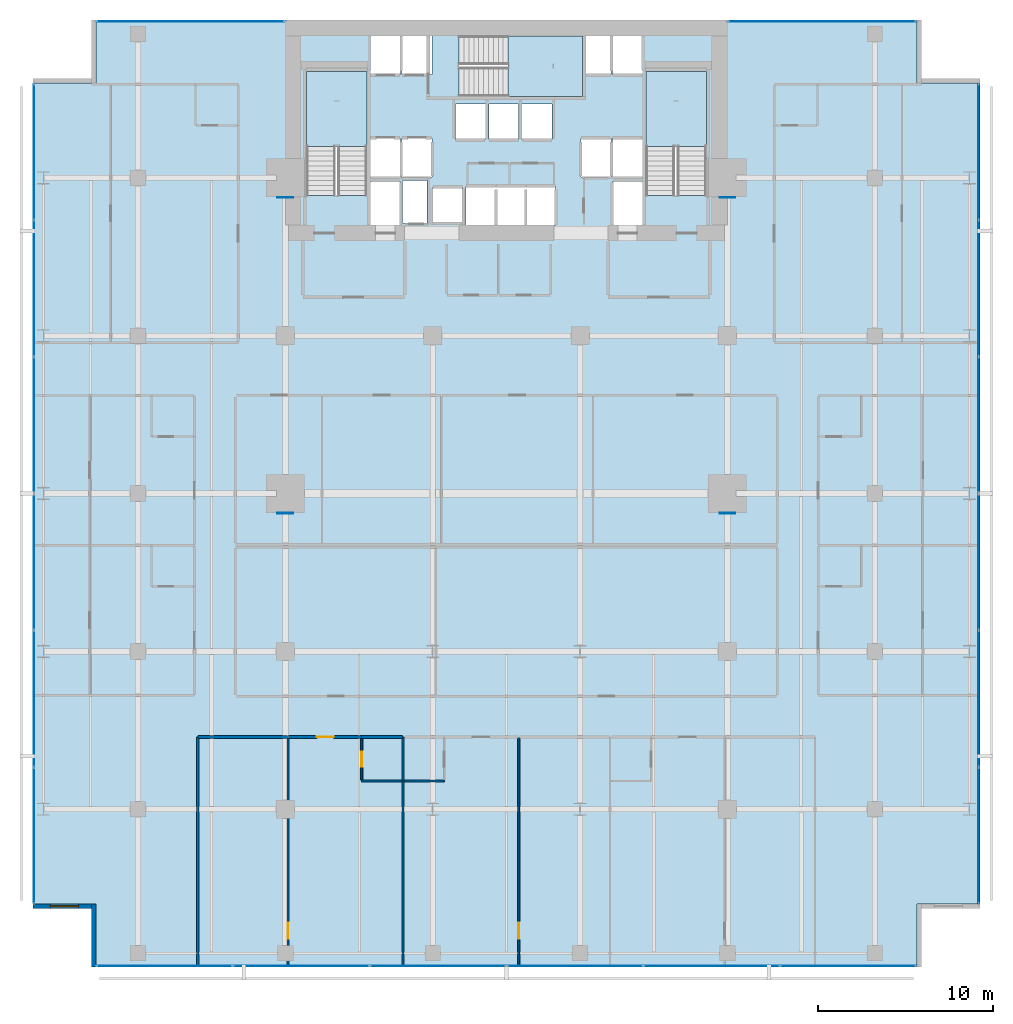
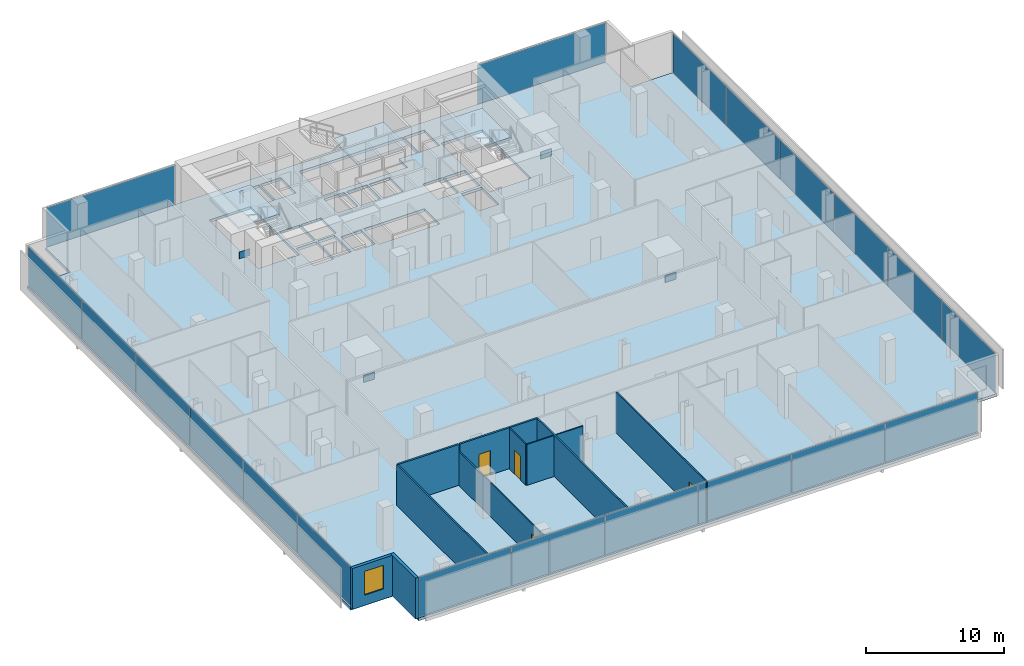
# One storey, part 32 of 40: 24 plates, 12 walls, 4 doors, 4 slabs, 1 window, 5 openings, 8 elements without a shape of their own.
"""IFC4 building model written with IfcOpenShell, lengths in metres."""

from ifc_helpers import new_model, si_unit, direction, frame, frame_2d, origin, origin_2d, place, context, subcontext, project, spatial, polyline, rectangle, outline, extrude, material, layer, layer_set, type_object, element, fill, aggregate, save


model = new_model("IFC4")

# Units and contexts
model_context = context("Model", 3, precision=1e-05, world=origin(), true_north=direction((0.0, 1.0)))
body_context = subcontext(model_context, "Body", "Model", "MODEL_VIEW")
ifc_project = project(units=[si_unit("LENGTHUNIT", "METRE"), si_unit("AREAUNIT", "SQUARE_METRE"), si_unit("VOLUMEUNIT", "CUBIC_METRE"), si_unit("PLANEANGLEUNIT", "RADIAN"), si_unit("MASSUNIT", "GRAM", prefix="KILO")], contexts=[model_context])

# Site, building, storey
site_placement = place(None, origin())
site = spatial("IfcSite", under=ifc_project, at=site_placement, CompositionType="ELEMENT")
building_placement = place(site_placement, origin())
building = spatial("IfcBuilding", under=site, at=building_placement, Name="Maruvema Waterfront Hotel and Observation Tower", CompositionType="ELEMENT")
storey_placement = place(building_placement, frame((0.0, 0.0, 73.14990234375)))
storey = spatial("IfcBuildingStorey", under=building, at=storey_placement, Name="L17", CompositionType="ELEMENT", Elevation=73.14990234375)

# Slab
ifc_material_1 = material(Name="Concrete C50/60", Category="concrete")
ifc_layer_1 = layer(ifc_material_1, 0.239990234375, Name="Reinforced Concrete Floor Slab 240 mm")
ifc_layer_set_1 = layer_set([ifc_layer_1], Name="Concrete C50/60")
slab_type_1 = type_object("IfcSlabType", Name="Reinforced Concrete Floor Slab 240 mm", PredefinedType="FLOOR", material=ifc_layer_set_1)
slab_1_placement = place(storey_placement, frame((0.0, 0.0, -0.239990234375)))
element("IfcSlab", 1, at=slab_1_placement, inside=storey, type_object=slab_type_1, Name="L17 Structural Floor Slab", PredefinedType="FLOOR", context=body_context, shape_type="SweptSolid", body=[
    extrude(outline(polyline([(14.39990234375, 0.0), (61.199951171875, 0.0), (61.199951171875, 3.60009765625), (64.800048828125, 3.60009765625), (64.800048828125, 50.39990234375), (61.199951171875, 50.39990234375), (61.199951171875, 54.0), (14.39990234375, 54.0), (14.39990234375, 50.39990234375), (10.800048828125, 50.39990234375), (10.800048828125, 3.60009765625), (14.39990234375, 3.60009765625), (14.39990234375, 0.0)]), holes=[polyline([(26.39990234375, 44.00048828125), (26.39990234375, 51.050048828125), (29.85009765625, 51.050048828125), (29.85009765625, 44.00048828125), (26.39990234375, 44.00048828125)]), polyline([(30.050048828125, 44.800048828125), (31.75, 44.800048828125), (31.75, 42.320068359375), (30.050048828125, 42.320068359375), (30.050048828125, 44.800048828125)]), polyline([(31.75, 47.25), (31.75, 45.050048828125), (30.050048828125, 45.050048828125), (30.050048828125, 47.25), (31.75, 47.25)]), polyline([(31.75, 53.10009765625), (31.75, 50.89990234375), (30.050048828125, 50.89990234375), (30.050048828125, 53.10009765625), (31.75, 53.10009765625)]), polyline([(33.280029296875, 44.860107421875), (33.280029296875, 42.43994140625), (31.8798828125, 42.43994140625), (31.8798828125, 44.860107421875), (33.280029296875, 44.860107421875)]), polyline([(31.85009765625, 47.25), (33.550048828125, 47.25), (33.550048828125, 45.050048828125), (31.85009765625, 45.050048828125), (31.85009765625, 47.25)]), polyline([(31.85009765625, 53.10009765625), (33.550048828125, 53.10009765625), (33.550048828125, 50.89990234375), (31.85009765625, 50.89990234375), (31.85009765625, 53.10009765625)]), polyline([(33.60009765625, 44.449951171875), (35.300048828125, 44.449951171875), (35.300048828125, 42.449951171875), (33.60009765625, 42.449951171875), (33.60009765625, 44.449951171875)]), polyline([(34.89990234375, 49.199951171875), (36.60009765625, 49.199951171875), (36.60009765625, 47.199951171875), (34.89990234375, 47.199951171875), (34.89990234375, 49.199951171875)]), polyline([(38.5, 49.199951171875), (38.5, 47.199951171875), (36.800048828125, 47.199951171875), (36.800048828125, 49.199951171875), (38.5, 49.199951171875)]), polyline([(35.5, 44.5), (40.60009765625, 44.5), (40.60009765625, 42.300048828125), (35.5, 42.300048828125), (35.5, 44.5)]), polyline([(43.75, 50.89990234375), (42.14990234375, 50.89990234375), (42.14990234375, 49.64990234375), (35.1005859375, 49.64990234375), (35.1005859375, 53.10009765625), (43.75, 53.10009765625), (43.75, 50.89990234375)]), polyline([(40.39990234375, 49.199951171875), (40.39990234375, 47.199951171875), (38.699951171875, 47.199951171875), (38.699951171875, 49.199951171875), (40.39990234375, 49.199951171875)]), polyline([(43.75, 47.25), (43.75, 45.050048828125), (42.050048828125, 45.050048828125), (42.050048828125, 47.25), (43.75, 47.25)]), polyline([(45.550048828125, 44.800048828125), (45.550048828125, 42.320068359375), (43.85009765625, 42.320068359375), (43.85009765625, 44.800048828125), (45.550048828125, 44.800048828125)]), polyline([(43.85009765625, 47.25), (45.550048828125, 47.25), (45.550048828125, 45.050048828125), (43.85009765625, 45.050048828125), (43.85009765625, 47.25)]), polyline([(45.550048828125, 53.10009765625), (45.550048828125, 50.89990234375), (43.85009765625, 50.89990234375), (43.85009765625, 53.10009765625), (45.550048828125, 53.10009765625)]), polyline([(45.75, 51.050048828125), (49.199951171875, 51.050048828125), (49.199951171875, 44.00048828125), (45.75, 44.00048828125), (45.75, 51.050048828125)])]), origin(), (0.0, 0.0, 1.0), 0.239990234375),
])

# Curtain wall, plates
ifc_material_2 = material(Name="Anodised bronze aluminium and solar-control low-E IGU", Category="aluminium")
ifc_layer_2 = layer(ifc_material_2, 0.159912109375, Name="Zone 1 Bronze Inner Thermal Curtain Wall System CW-02")
ifc_layer_set_2 = layer_set([ifc_layer_2], Name="Anodised bronze aluminium and solar-control low-E IGU")
curtain_wall_type = type_object("IfcCurtainWallType", Name="Zone 1 Bronze Inner Thermal Curtain Wall System CW-02", PredefinedType="USERDEFINED", material=ifc_layer_set_2)
curtain_wall_1_placement = place(storey_placement, origin())
curtain_wall_1 = element("IfcCurtainWall", 2, at=curtain_wall_1_placement, inside=storey, type_object=curtain_wall_type, Name="L17 Curtain Wall CW-L17-S", ObjectType="UNITISED CURTAIN WALL", PredefinedType="USERDEFINED")
ifc_material_3 = material(Name="Laminated low-E solar-control double glazing", Category="glass")
ifc_layer_3 = layer(ifc_material_3, 0.035888671875, Name="Solar Control Double-Glazed Curtain Panel 36 mm")
ifc_layer_set_3 = layer_set([ifc_layer_3], Name="Laminated low-E solar-control double glazing")
plate_type_1 = type_object("IfcPlateType", Name="Solar Control Double-Glazed Curtain Panel 36 mm", PredefinedType="CURTAIN_PANEL", material=ifc_layer_set_3)
plate_1_placement = place(storey_placement, frame((18.31494140625, 0.080078125, 0.06005859375), z_axis=(0.0, 0.0, 1.0), x_axis=(1.0, 0.0, 0.0)))
plate_1 = element("IfcPlate", 3, at=plate_1_placement, type_object=plate_type_1, Name="CW-02 panel 1.1", PredefinedType="CURTAIN_PANEL", context=body_context, shape_type="SweptSolid", body=[
    extrude(rectangle(XDim=7.7099609375, YDim=0.028076171875, at=origin_2d()), origin(), (0.0, 0.0, 1.0), 3.489990234375),
])
plate_2_placement = place(storey_placement, frame((26.10009765625, 0.080078125, 0.06005859375), z_axis=(0.0, 0.0, 1.0), x_axis=(1.0, 0.0, 0.0)))
plate_2 = element("IfcPlate", 4, at=plate_2_placement, type_object=plate_type_1, Name="CW-02 panel 2.1", PredefinedType="CURTAIN_PANEL", context=body_context, shape_type="SweptSolid", body=[
    extrude(rectangle(XDim=7.739990234375, YDim=0.028076171875, at=origin_2d()), origin(), (0.0, 0.0, 1.0), 3.489990234375),
])
plate_3_placement = place(storey_placement, frame((33.89990234375, 0.080078125, 0.06005859375), z_axis=(0.0, 0.0, 1.0), x_axis=(1.0, 0.0, 0.0)))
plate_3 = element("IfcPlate", 5, at=plate_3_placement, type_object=plate_type_1, Name="CW-02 panel 3.1", PredefinedType="CURTAIN_PANEL", context=body_context, shape_type="SweptSolid", body=[
    extrude(rectangle(XDim=7.739990234375, YDim=0.028076171875, at=origin_2d()), origin(), (0.0, 0.0, 1.0), 3.489990234375),
])
plate_4_placement = place(storey_placement, frame((41.699951171875, 0.080078125, 0.06005859375), z_axis=(0.0, 0.0, 1.0), x_axis=(1.0, 0.0, 0.0)))
plate_4 = element("IfcPlate", 6, at=plate_4_placement, type_object=plate_type_1, Name="CW-02 panel 4.1", PredefinedType="CURTAIN_PANEL", context=body_context, shape_type="SweptSolid", body=[
    extrude(rectangle(XDim=7.739990234375, YDim=0.028076171875, at=origin_2d()), origin(), (0.0, 0.0, 1.0), 3.489990234375),
])
plate_5_placement = place(storey_placement, frame((49.5, 0.080078125, 0.06005859375), z_axis=(0.0, 0.0, 1.0), x_axis=(1.0, 0.0, 0.0)))
plate_5 = element("IfcPlate", 7, at=plate_5_placement, type_object=plate_type_1, Name="CW-02 panel 5.1", PredefinedType="CURTAIN_PANEL", context=body_context, shape_type="SweptSolid", body=[
    extrude(rectangle(XDim=7.739990234375, YDim=0.028076171875, at=origin_2d()), origin(), (0.0, 0.0, 1.0), 3.489990234375),
])
plate_6_placement = place(storey_placement, frame((57.284912109375, 0.080078125, 0.06005859375), z_axis=(0.0, 0.0, 1.0), x_axis=(1.0, 0.0, 0.0)))
plate_6 = element("IfcPlate", 8, at=plate_6_placement, type_object=plate_type_1, Name="CW-02 panel 6.1", PredefinedType="CURTAIN_PANEL", context=body_context, shape_type="SweptSolid", body=[
    extrude(rectangle(XDim=7.7099609375, YDim=0.028076171875, at=origin_2d()), origin(), (0.0, 0.0, 1.0), 3.489990234375),
])
aggregate(curtain_wall_1, [plate_1, plate_2, plate_3, plate_4, plate_5, plate_6])

curtain_wall_2_placement = place(storey_placement, origin())
curtain_wall_2 = element("IfcCurtainWall", 9, at=curtain_wall_2_placement, inside=storey, type_object=curtain_wall_type, Name="L17 Curtain Wall CW-L17-E", ObjectType="UNITISED CURTAIN WALL", PredefinedType="USERDEFINED")
plate_7_placement = place(storey_placement, frame((64.719970703125, 7.514892578125, 0.06005859375), z_axis=(0.0, 0.0, 1.0), x_axis=(0.0, 1.0, 0.0)))
plate_7 = element("IfcPlate", 10, at=plate_7_placement, type_object=plate_type_1, Name="CW-02 panel 1.1", PredefinedType="CURTAIN_PANEL", context=body_context, shape_type="SweptSolid", body=[
    extrude(rectangle(XDim=7.7099609375, YDim=0.028076171875, at=origin_2d()), origin(), (0.0, 0.0, 1.0), 3.489990234375),
])
plate_8_placement = place(storey_placement, frame((64.719970703125, 15.300048828125, 0.06005859375), z_axis=(0.0, 0.0, 1.0), x_axis=(0.0, 1.0, 0.0)))
plate_8 = element("IfcPlate", 11, at=plate_8_placement, type_object=plate_type_1, Name="CW-02 panel 2.1", PredefinedType="CURTAIN_PANEL", context=body_context, shape_type="SweptSolid", body=[
    extrude(rectangle(XDim=7.739990234375, YDim=0.028076171875, at=origin_2d()), origin(), (0.0, 0.0, 1.0), 3.489990234375),
])
plate_9_placement = place(storey_placement, frame((64.719970703125, 23.10009765625, 0.06005859375), z_axis=(0.0, 0.0, 1.0), x_axis=(0.0, 1.0, 0.0)))
plate_9 = element("IfcPlate", 12, at=plate_9_placement, type_object=plate_type_1, Name="CW-02 panel 3.1", PredefinedType="CURTAIN_PANEL", context=body_context, shape_type="SweptSolid", body=[
    extrude(rectangle(XDim=7.739990234375, YDim=0.028076171875, at=origin_2d()), origin(), (0.0, 0.0, 1.0), 3.489990234375),
])
plate_10_placement = place(storey_placement, frame((64.719970703125, 30.89990234375, 0.06005859375), z_axis=(0.0, 0.0, 1.0), x_axis=(0.0, 1.0, 0.0)))
plate_10 = element("IfcPlate", 13, at=plate_10_placement, type_object=plate_type_1, Name="CW-02 panel 4.1", PredefinedType="CURTAIN_PANEL", context=body_context, shape_type="SweptSolid", body=[
    extrude(rectangle(XDim=7.739990234375, YDim=0.028076171875, at=origin_2d()), origin(), (0.0, 0.0, 1.0), 3.489990234375),
])
plate_11_placement = place(storey_placement, frame((64.719970703125, 38.699951171875, 0.06005859375), z_axis=(0.0, 0.0, 1.0), x_axis=(0.0, 1.0, 0.0)))
plate_11 = element("IfcPlate", 14, at=plate_11_placement, type_object=plate_type_1, Name="CW-02 panel 5.1", PredefinedType="CURTAIN_PANEL", context=body_context, shape_type="SweptSolid", body=[
    extrude(rectangle(XDim=7.739990234375, YDim=0.028076171875, at=origin_2d()), origin(), (0.0, 0.0, 1.0), 3.489990234375),
])
plate_12_placement = place(storey_placement, frame((64.719970703125, 46.485107421875, 0.06005859375), z_axis=(0.0, 0.0, 1.0), x_axis=(0.0, 1.0, 0.0)))
plate_12 = element("IfcPlate", 15, at=plate_12_placement, type_object=plate_type_1, Name="CW-02 panel 6.1", PredefinedType="CURTAIN_PANEL", context=body_context, shape_type="SweptSolid", body=[
    extrude(rectangle(XDim=7.7099609375, YDim=0.028076171875, at=origin_2d()), origin(), (0.0, 0.0, 1.0), 3.489990234375),
])
aggregate(curtain_wall_2, [plate_7, plate_8, plate_9, plate_10, plate_11, plate_12])

curtain_wall_3_placement = place(storey_placement, origin())
curtain_wall_3 = element("IfcCurtainWall", 16, at=curtain_wall_3_placement, inside=storey, type_object=curtain_wall_type, Name="L17 Curtain Wall CW-L17-W", ObjectType="UNITISED CURTAIN WALL", PredefinedType="USERDEFINED")
plate_13_placement = place(storey_placement, frame((10.8798828125, 46.485107421875, 0.06005859375), z_axis=(0.0, 0.0, 1.0), x_axis=(0.0, -1.0, 0.0)))
plate_13 = element("IfcPlate", 17, at=plate_13_placement, type_object=plate_type_1, Name="CW-02 panel 1.1", PredefinedType="CURTAIN_PANEL", context=body_context, shape_type="SweptSolid", body=[
    extrude(rectangle(XDim=7.7099609375, YDim=0.028076171875, at=origin_2d()), origin(), (0.0, 0.0, 1.0), 3.489990234375),
])
plate_14_placement = place(storey_placement, frame((10.8798828125, 38.699951171875, 0.06005859375), z_axis=(0.0, 0.0, 1.0), x_axis=(0.0, -1.0, 0.0)))
plate_14 = element("IfcPlate", 18, at=plate_14_placement, type_object=plate_type_1, Name="CW-02 panel 2.1", PredefinedType="CURTAIN_PANEL", context=body_context, shape_type="SweptSolid", body=[
    extrude(rectangle(XDim=7.739990234375, YDim=0.028076171875, at=origin_2d()), origin(), (0.0, 0.0, 1.0), 3.489990234375),
])
plate_15_placement = place(storey_placement, frame((10.8798828125, 30.89990234375, 0.06005859375), z_axis=(0.0, 0.0, 1.0), x_axis=(0.0, -1.0, 0.0)))
plate_15 = element("IfcPlate", 19, at=plate_15_placement, type_object=plate_type_1, Name="CW-02 panel 3.1", PredefinedType="CURTAIN_PANEL", context=body_context, shape_type="SweptSolid", body=[
    extrude(rectangle(XDim=7.739990234375, YDim=0.028076171875, at=origin_2d()), origin(), (0.0, 0.0, 1.0), 3.489990234375),
])
plate_16_placement = place(storey_placement, frame((10.8798828125, 23.10009765625, 0.06005859375), z_axis=(0.0, 0.0, 1.0), x_axis=(0.0, -1.0, 0.0)))
plate_16 = element("IfcPlate", 20, at=plate_16_placement, type_object=plate_type_1, Name="CW-02 panel 4.1", PredefinedType="CURTAIN_PANEL", context=body_context, shape_type="SweptSolid", body=[
    extrude(rectangle(XDim=7.739990234375, YDim=0.028076171875, at=origin_2d()), origin(), (0.0, 0.0, 1.0), 3.489990234375),
])
plate_17_placement = place(storey_placement, frame((10.8798828125, 15.300048828125, 0.06005859375), z_axis=(0.0, 0.0, 1.0), x_axis=(0.0, -1.0, 0.0)))
plate_17 = element("IfcPlate", 21, at=plate_17_placement, type_object=plate_type_1, Name="CW-02 panel 5.1", PredefinedType="CURTAIN_PANEL", context=body_context, shape_type="SweptSolid", body=[
    extrude(rectangle(XDim=7.739990234375, YDim=0.028076171875, at=origin_2d()), origin(), (0.0, 0.0, 1.0), 3.489990234375),
])
plate_18_placement = place(storey_placement, frame((10.8798828125, 7.514892578125, 0.06005859375), z_axis=(0.0, 0.0, 1.0), x_axis=(0.0, -1.0, 0.0)))
plate_18 = element("IfcPlate", 22, at=plate_18_placement, type_object=plate_type_1, Name="CW-02 panel 6.1", PredefinedType="CURTAIN_PANEL", context=body_context, shape_type="SweptSolid", body=[
    extrude(rectangle(XDim=7.7099609375, YDim=0.028076171875, at=origin_2d()), origin(), (0.0, 0.0, 1.0), 3.489990234375),
])
aggregate(curtain_wall_3, [plate_13, plate_14, plate_15, plate_16, plate_17, plate_18])

# Curtain wall, plate
curtain_wall_4_placement = place(storey_placement, origin())
curtain_wall_4 = element("IfcCurtainWall", 23, at=curtain_wall_4_placement, inside=storey, type_object=curtain_wall_type, Name="L17 Curtain Wall CW-L17-NW", ObjectType="UNITISED CURTAIN WALL", PredefinedType="USERDEFINED")
plate_19_placement = place(storey_placement, frame((19.800048828125, 53.919921875, 0.06005859375), z_axis=(0.0, 0.0, 1.0), x_axis=(-1.0, 0.0, 0.0)))
plate_19 = element("IfcPlate", 24, at=plate_19_placement, type_object=plate_type_1, Name="CW-02 panel 1.1", PredefinedType="CURTAIN_PANEL", context=body_context, shape_type="SweptSolid", body=[
    extrude(rectangle(XDim=10.679931640625, YDim=0.028076171875, at=origin_2d()), origin(), (0.0, 0.0, 1.0), 3.489990234375),
])
aggregate(curtain_wall_4, [plate_19])

curtain_wall_5_placement = place(storey_placement, origin())
curtain_wall_5 = element("IfcCurtainWall", 25, at=curtain_wall_5_placement, inside=storey, type_object=curtain_wall_type, Name="L17 Curtain Wall CW-L17-NE", ObjectType="UNITISED CURTAIN WALL", PredefinedType="USERDEFINED")
plate_20_placement = place(storey_placement, frame((55.800048828125, 53.919921875, 0.06005859375), z_axis=(0.0, 0.0, 1.0), x_axis=(-1.0, 0.0, 0.0)))
plate_20 = element("IfcPlate", 26, at=plate_20_placement, type_object=plate_type_1, Name="CW-02 panel 1.1", PredefinedType="CURTAIN_PANEL", context=body_context, shape_type="SweptSolid", body=[
    extrude(rectangle(XDim=10.679931640625, YDim=0.028076171875, at=origin_2d()), origin(), (0.0, 0.0, 1.0), 3.489990234375),
])
aggregate(curtain_wall_5, [plate_20])

# Stair, slab
ifc_material_4 = material(Name="Concrete C50/60", Category="concrete")
stair_type = type_object("IfcStairType", Name="Dogleg Exit Stair 1650 mm (22R x 175.0 mm)", PredefinedType="HALF_TURN_STAIR", material=ifc_material_4)
stair_1_placement = place(storey_placement, origin())
stair_1 = element("IfcStair", 27, at=stair_1_placement, inside=storey, type_object=stair_type, Name="L17 ST-01", PredefinedType="HALF_TURN_STAIR")
ifc_material_5 = material(Name="Concrete C50/60", Category="concrete")
ifc_layer_4 = layer(ifc_material_5, 0.219970703125, Name="Stair Concrete Landing Slab 220 mm")
ifc_layer_set_4 = layer_set([ifc_layer_4], Name="Concrete C50/60")
slab_type_2 = type_object("IfcSlabType", Name="Stair Concrete Landing Slab 220 mm", PredefinedType="LANDING", material=ifc_layer_set_4)
slab_2_placement = place(storey_placement, frame((0.0, 0.0, 1.705078125)))
slab_2 = element("IfcSlab", 28, at=slab_2_placement, type_object=slab_type_2, Name="ST-01 landing 1", PredefinedType="LANDING", context=body_context, shape_type="SweptSolid", body=[
    extrude(outline(polyline([(29.85009765625, 46.800048828125), (29.85009765625, 51.050048828125), (26.39990234375, 51.050048828125), (26.39990234375, 46.800048828125), (29.85009765625, 46.800048828125)])), origin(), (0.0, 0.0, 1.0), 0.219970703125),
])
aggregate(stair_1, [slab_2])

stair_2_placement = place(storey_placement, origin())
stair_2 = element("IfcStair", 29, at=stair_2_placement, inside=storey, type_object=stair_type, Name="L17 ST-02", PredefinedType="HALF_TURN_STAIR")
slab_3_placement = place(storey_placement, frame((0.0, 0.0, 1.705078125)))
slab_3 = element("IfcSlab", 30, at=slab_3_placement, type_object=slab_type_2, Name="ST-02 landing 1", PredefinedType="LANDING", context=body_context, shape_type="SweptSolid", body=[
    extrude(outline(polyline([(37.89990234375, 49.64990234375), (42.14990234375, 49.64990234375), (42.14990234375, 53.10009765625), (37.89990234375, 53.10009765625), (37.89990234375, 49.64990234375)])), origin(), (0.0, 0.0, 1.0), 0.219970703125),
])
aggregate(stair_2, [slab_3])

stair_3_placement = place(storey_placement, origin())
stair_3 = element("IfcStair", 31, at=stair_3_placement, inside=storey, type_object=stair_type, Name="L17 ST-03", PredefinedType="HALF_TURN_STAIR")
slab_4_placement = place(storey_placement, frame((0.0, 0.0, 1.705078125)))
slab_4 = element("IfcSlab", 32, at=slab_4_placement, type_object=slab_type_2, Name="ST-03 landing 1", PredefinedType="LANDING", context=body_context, shape_type="SweptSolid", body=[
    extrude(outline(polyline([(49.199951171875, 46.800048828125), (49.199951171875, 51.050048828125), (45.75, 51.050048828125), (45.75, 46.800048828125), (49.199951171875, 46.800048828125)])), origin(), (0.0, 0.0, 1.0), 0.219970703125),
])
aggregate(stair_3, [slab_4])

# Plates
ifc_material_6 = material(Name="Steel ABNT NBR 7007 AR 415 (ASTM A572 Grade 50)", Category="steel")
ifc_layer_5 = layer(ifc_material_6, 0.0400390625, Name="Structural Truss Node Gusset Plate 40 mm")
ifc_layer_set_5 = layer_set([ifc_layer_5], Name="Steel ABNT NBR 7007 AR 415 (ASTM A572 Grade 50)")
plate_type_2 = type_object("IfcPlateType", Name="Structural Truss Node Gusset Plate 40 mm", PredefinedType="USERDEFINED", material=ifc_layer_set_5)
for number, where, z_axis, x_axis, name in (
    (33, (25.199951171875, 25.8798828125, 1.5), (0.0, 0.0, 1.0), (1.0, 0.0, 0.0), "L17 MC-01 Moment Frame Continuity Gusset Plate"),
    (34, (50.39990234375, 25.8798828125, 1.5), (0.0, 0.0, 1.0), (1.0, 0.0, 0.0), "L17 MC-02 Moment Frame Continuity Gusset Plate"),
    (35, (25.199951171875, 43.8798828125, 1.5), (0.0, 0.0, 1.0), (1.0, 0.0, 0.0), "L17 MC-03 Moment Frame Continuity Gusset Plate"),
    (36, (50.39990234375, 43.8798828125, 1.5), (0.0, 0.0, 1.0), (1.0, 0.0, 0.0), "L17 MC-04 Moment Frame Continuity Gusset Plate"),
):
    element("IfcPlate", number, at=place(storey_placement, frame(where, z_axis=z_axis, x_axis=x_axis)), inside=storey, type_object=plate_type_2, Name=name, ObjectType="GUSSET_PLATE", PredefinedType="USERDEFINED", context=body_context, shape_type="SweptSolid", body=[
        extrude(rectangle(XDim=0.89990234375, YDim=0.0400390625, at=origin_2d()), origin(), (0.0, 0.0, 1.0), 0.60009765625),
    ])

# Walls
ifc_material_7 = material(Name="Twin-stud acoustic gypsum drywall", Category="gypsum")
ifc_layer_6 = layer(ifc_material_7, 0.14990234375, Name="Acoustic Corridor and Suite Demising Wall 150 mm")
ifc_layer_set_6 = layer_set([ifc_layer_6], Name="Twin-stud acoustic gypsum drywall")
wall_type_1 = type_object("IfcWallType", Name="Acoustic Corridor and Suite Demising Wall 150 mm", PredefinedType="PARTITIONING", material=ifc_layer_set_6)
wall_1_placement = place(storey_placement, frame((29.550048828125, 13.1201171875, 0.0), z_axis=(0.0, 0.0, 1.0), x_axis=(1.0, 0.0, 0.0)))
element("IfcWall", 37, at=wall_1_placement, inside=storey, type_object=wall_type_1, Name="L17 Bath L17-S1 Back Wall 040", PredefinedType="PARTITIONING", context=body_context, shape_type="SweptSolid", body=[
    extrude(rectangle(XDim=2.329833984375, YDim=0.14990234375, at=frame_2d((1.1650390625, 0.0))), origin(), (0.0, 0.0, 1.0), 3.610107421875),
])
wall_2_placement = place(storey_placement, frame((20.219970703125, 13.1201171875, 0.0), z_axis=(0.0, 0.0, 1.0), x_axis=(1.0, 0.0, 0.0)))
element("IfcWall", 38, at=wall_2_placement, inside=storey, type_object=wall_type_1, Name="L17 Bedroom L17-S1 Back Wall 043", PredefinedType="PARTITIONING", context=body_context, shape_type="SweptSolid", body=[
    extrude(rectangle(XDim=5.088134765625, YDim=0.14990234375, at=frame_2d((2.5439453125, 0.0))), origin(), (0.0, 0.0, 1.0), 3.610107421875),
])

# Wall, opening, door
wall_3_placement = place(storey_placement, frame((25.387939453125, 13.1201171875, 0.0), z_axis=(0.0, 0.0, 1.0), x_axis=(1.0, 0.0, 0.0)))
wall_3 = element("IfcWall", 39, at=wall_3_placement, inside=storey, type_object=wall_type_1, Name="L17 Unit L17-S1 Corridor Wall 044", PredefinedType="PARTITIONING", context=body_context, shape_type="SweptSolid", body=[
    extrude(rectangle(XDim=4.162109375, YDim=0.14990234375, at=frame_2d((2.0810546875, 0.0))), origin(), (0.0, 0.0, 1.0), 3.610107421875),
])
opening_1_placement = place(wall_3_placement, frame((1.60595703125, 0.0, 0.0)))
opening_1 = element("IfcOpeningElement", 40, at=opening_1_placement, cuts=wall_3, Name="Opening DR-095", PredefinedType="OPENING", context=body_context, shape_type="SweptSolid", body=[
    extrude(rectangle(XDim=0.949951171875, YDim=2.14990234375, at=frame_2d((0.47509765625, 1.074951171875))), frame((0.0, 0.0849609375, 0.0), z_axis=(0.0, -1.0, 0.0), x_axis=(1.0, 0.0, 0.0)), (0.0, 0.0, 1.0), 0.169921875),
])
ifc_material_8 = material(Name="Acoustic solid-core hardwood timber leaf", Category="wood")
door_type_1 = type_object("IfcDoorType", Name="Guestroom Entrance Fire Door 950x2150 mm", OperationType="NOTDEFINED", PredefinedType="DOOR", material=ifc_material_8)
door_1_placement = place(opening_1_placement, frame((0.949951171875, 0.0, 0.0), z_axis=(0.0, 0.0, 1.0), x_axis=(-1.0, 0.0, 0.0)))
door_1 = element("IfcDoor", 41, at=door_1_placement, inside=storey, type_object=door_type_1, Name="L17 Unit L17-S1 Entrance Door", OperationType="SINGLE_SWING_LEFT", OverallHeight=2.14990234375, OverallWidth=0.949951171875, PredefinedType="DOOR", context=body_context, shape_type="SweptSolid", body=[
    extrude(rectangle(XDim=0.949951171875, YDim=2.14990234375, at=frame_2d((0.47509765625, 1.074951171875))), frame((0.0, 0.02490234375, 0.0), z_axis=(0.0, -1.0, 0.0), x_axis=(1.0, 0.0, 0.0)), (0.0, 0.0, 1.0), 0.050048828125),
])
fill(opening_1, door_1)

# Wall
ifc_material_9 = material(Name="Moisture-resistant cement-board drywall", Category="gypsum")
ifc_layer_7 = layer(ifc_material_9, 0.10009765625, Name="En-Suite Moisture-Resistant Partition 100 mm")
ifc_layer_set_7 = layer_set([ifc_layer_7], Name="Moisture-resistant cement-board drywall")
wall_type_2 = type_object("IfcWallType", Name="En-Suite Moisture-Resistant Partition 100 mm", PredefinedType="PARTITIONING", material=ifc_layer_set_7)
wall_4_placement = place(storey_placement, frame((29.550048828125, 10.6201171875, 0.0), z_axis=(0.0, 0.0, 1.0), x_axis=(1.0, 0.0, 0.0)))
element("IfcWall", 42, at=wall_4_placement, inside=storey, type_object=wall_type_2, Name="L17 En-Suite L17-S1 South 041", PredefinedType="PARTITIONING", context=body_context, shape_type="SweptSolid", body=[
    extrude(rectangle(XDim=2.31005859375, YDim=0.10009765625, at=frame_2d((1.155029296875, 0.0))), origin(), (0.0, 0.0, 1.0), 3.610107421875),
])

# Wall, opening, door
wall_5_placement = place(storey_placement, frame((29.550048828125, 10.679931640625, 0.0), z_axis=(0.0, 0.0, 1.0), x_axis=(0.0, 1.0, 0.0)))
wall_5 = element("IfcWall", 43, at=wall_5_placement, inside=storey, type_object=wall_type_2, Name="L17 En-Suite L17-S1 West 042", PredefinedType="PARTITIONING", context=body_context, shape_type="SweptSolid", body=[
    extrude(rectangle(XDim=2.340087890625, YDim=0.10009765625, at=frame_2d((1.169921875, 0.0))), origin(), (0.0, 0.0, 1.0), 3.610107421875),
])
opening_2_placement = place(wall_5_placement, frame((0.7451171875, 0.0, 0.0)))
opening_2 = element("IfcOpeningElement", 44, at=opening_2_placement, cuts=wall_5, Name="Opening DR-085", PredefinedType="OPENING", context=body_context, shape_type="SweptSolid", body=[
    extrude(rectangle(XDim=0.85009765625, YDim=2.10009765625, at=frame_2d((0.425048828125, 1.050048828125))), frame((0.0, 0.06005859375, 0.0), z_axis=(0.0, -1.0, 0.0), x_axis=(1.0, 0.0, 0.0)), (0.0, 0.0, 1.0), 0.1201171875),
])
ifc_material_10 = material(Name="Moisture-resistant solid timber leaf", Category="wood")
door_type_2 = type_object("IfcDoorType", Name="En-Suite Bathroom Door 850x2100 mm", OperationType="NOTDEFINED", PredefinedType="DOOR", material=ifc_material_10)
door_2_placement = place(opening_2_placement, origin())
door_2 = element("IfcDoor", 45, at=door_2_placement, inside=storey, type_object=door_type_2, Name="L17 En-Suite L17-S1 Door", OperationType="SINGLE_SWING_RIGHT", OverallHeight=2.10009765625, OverallWidth=0.85009765625, PredefinedType="DOOR", context=body_context, shape_type="SweptSolid", body=[
    extrude(rectangle(XDim=0.85009765625, YDim=2.10009765625, at=frame_2d((0.425048828125, 1.050048828125))), frame((0.0, 0.02490234375, 0.0), z_axis=(0.0, -1.0, 0.0), x_axis=(1.0, 0.0, 0.0)), (0.0, 0.0, 1.0), 0.050048828125),
])
fill(opening_2, door_2)

wall_6_placement = place(storey_placement, frame((25.347900390625, 0.030029296875, 0.0), z_axis=(0.0, 0.0, 1.0), x_axis=(0.0, 1.0, 0.0)))
wall_6 = element("IfcWall", 46, at=wall_6_placement, inside=storey, type_object=wall_type_2, Name="L17 Suite L17-S1 Split 045", PredefinedType="PARTITIONING", context=body_context, shape_type="SweptSolid", body=[
    extrude(rectangle(XDim=13.030029296875, YDim=0.10009765625, at=frame_2d((6.51513671875, 0.0))), origin(), (0.0, 0.0, 1.0), 2.9990234375),
])
opening_3_placement = place(wall_6_placement, frame((1.60009765625, 0.0, 0.0)))
opening_3 = element("IfcOpeningElement", 47, at=opening_3_placement, cuts=wall_6, Name="Opening DR-090", PredefinedType="OPENING", context=body_context, shape_type="SweptSolid", body=[
    extrude(rectangle(XDim=0.89990234375, YDim=2.10009765625, at=frame_2d((0.449951171875, 1.050048828125))), frame((0.0, 0.06005859375, 0.0), z_axis=(0.0, -1.0, 0.0), x_axis=(1.0, 0.0, 0.0)), (0.0, 0.0, 1.0), 0.1201171875),
])
ifc_material_11 = material(Name="Solid-core lacquered timber leaf", Category="wood")
door_type_3 = type_object("IfcDoorType", Name="Accessible Toilet and Room Door 900x2100 mm", OperationType="NOTDEFINED", PredefinedType="DOOR", material=ifc_material_11)
door_3_placement = place(opening_3_placement, frame((0.89990234375, 0.0, 0.0), z_axis=(0.0, 0.0, 1.0), x_axis=(-1.0, 0.0, 0.0)))
door_3 = element("IfcDoor", 48, at=door_3_placement, inside=storey, type_object=door_type_3, Name="L17 Suite L17-S1 Bedroom Door", OperationType="SINGLE_SWING_RIGHT", OverallHeight=2.10009765625, OverallWidth=0.89990234375, PredefinedType="DOOR", context=body_context, shape_type="SweptSolid", body=[
    extrude(rectangle(XDim=0.89990234375, YDim=2.10009765625, at=frame_2d((0.449951171875, 1.050048828125))), frame((0.0, 0.02490234375, 0.0), z_axis=(0.0, -1.0, 0.0), x_axis=(1.0, 0.0, 0.0)), (0.0, 0.0, 1.0), 0.050048828125),
])
fill(opening_3, door_3)

# Wall
wall_7_placement = place(storey_placement, frame((31.97998046875, 10.6201171875, 0.0), z_axis=(0.0, 0.0, 1.0), x_axis=(1.0, 0.0, 0.0)))
element("IfcWall", 49, at=wall_7_placement, inside=storey, type_object=wall_type_2, Name="L17 En-Suite L17-S2 South 048", PredefinedType="PARTITIONING", context=body_context, shape_type="SweptSolid", body=[
    extrude(rectangle(XDim=2.27001953125, YDim=0.10009765625, at=frame_2d((1.135009765625, 0.0))), origin(), (0.0, 0.0, 1.0), 3.610107421875),
])

# Wall, opening, door
wall_8_placement = place(storey_placement, frame((38.508056640625, 0.030029296875, 0.0), z_axis=(0.0, 0.0, 1.0), x_axis=(0.0, 1.0, 0.0)))
wall_8 = element("IfcWall", 50, at=wall_8_placement, inside=storey, type_object=wall_type_2, Name="L17 Suite L17-S2 Split 052", PredefinedType="PARTITIONING", context=body_context, shape_type="SweptSolid", body=[
    extrude(rectangle(XDim=13.030029296875, YDim=0.10009765625, at=frame_2d((6.51513671875, 0.0))), origin(), (0.0, 0.0, 1.0), 3.610107421875),
])
opening_4_placement = place(wall_8_placement, frame((1.60009765625, 0.0, 0.0)))
opening_4 = element("IfcOpeningElement", 51, at=opening_4_placement, cuts=wall_8, Name="Opening DR-090", PredefinedType="OPENING", context=body_context, shape_type="SweptSolid", body=[
    extrude(rectangle(XDim=0.89990234375, YDim=2.10009765625, at=frame_2d((0.449951171875, 1.050048828125))), frame((0.0, 0.06005859375, 0.0), z_axis=(0.0, -1.0, 0.0), x_axis=(1.0, 0.0, 0.0)), (0.0, 0.0, 1.0), 0.1201171875),
])
door_4_placement = place(opening_4_placement, origin())
door_4 = element("IfcDoor", 52, at=door_4_placement, inside=storey, type_object=door_type_3, Name="L17 Suite L17-S2 Bedroom Door", OperationType="SINGLE_SWING_LEFT", OverallHeight=2.10009765625, OverallWidth=0.89990234375, PredefinedType="DOOR", context=body_context, shape_type="SweptSolid", body=[
    extrude(rectangle(XDim=0.89990234375, YDim=2.10009765625, at=frame_2d((0.449951171875, 1.050048828125))), frame((0.0, 0.02490234375, 0.0), z_axis=(0.0, -1.0, 0.0), x_axis=(1.0, 0.0, 0.0)), (0.0, 0.0, 1.0), 0.050048828125),
])
fill(opening_4, door_4)

# Wall
ifc_material_12 = material(Name="Precast concrete C45/55 with honed Pernambuco granite facing", Category="masonry")
ifc_layer_8 = layer(ifc_material_12, 0.260009765625, Name="Exterior Granite Clad Spandrel and Pier Wall 260 mm")
ifc_layer_set_8 = layer_set([ifc_layer_8], Name="Precast concrete C45/55 with honed Pernambuco granite facing")
wall_type_3 = type_object("IfcWallType", Name="Exterior Granite Clad Spandrel and Pier Wall 260 mm", PredefinedType="SOLIDWALL", material=ifc_layer_set_8)
wall_9_placement = place(storey_placement, frame((14.27001953125, 0.0, 0.0), z_axis=(0.0, 0.0, 1.0), x_axis=(0.0, 1.0, 0.0)))
element("IfcWall", 53, at=wall_9_placement, inside=storey, type_object=wall_type_3, Name="L17 Corner Notch Granite Pier Wall SW1", PredefinedType="SOLIDWALL", context=body_context, shape_type="SweptSolid", body=[
    extrude(rectangle(XDim=3.60009765625, YDim=0.260009765625, at=frame_2d((1.800048828125, 0.0))), origin(), (0.0, 0.0, 1.0), 3.610107421875),
])

# Wall, opening, window
wall_10_placement = place(storey_placement, frame((14.39990234375, 3.469970703125, 0.0), z_axis=(0.0, 0.0, 1.0), x_axis=(-1.0, 0.0, 0.0)))
wall_10 = element("IfcWall", 54, at=wall_10_placement, inside=storey, type_object=wall_type_3, Name="L17 Corner Notch Granite Pier Wall SW2", PredefinedType="SOLIDWALL", context=body_context, shape_type="SweptSolid", body=[
    extrude(rectangle(XDim=3.599853515625, YDim=0.260009765625, at=frame_2d((1.7998046875, 0.0))), origin(), (0.0, 0.0, 1.0), 3.610107421875),
])
opening_5_placement = place(wall_10_placement, frame((1.0, 0.0, 0.89990234375)))
opening_5 = element("IfcOpeningElement", 55, at=opening_5_placement, cuts=wall_10, Name="Opening WN-01", PredefinedType="OPENING", context=body_context, shape_type="SweptSolid", body=[
    extrude(rectangle(XDim=1.60009765625, YDim=2.10009765625, at=frame_2d((0.800048828125, 1.050048828125))), frame((0.0, 0.14013671875, 0.0), z_axis=(0.0, -1.0, 0.0), x_axis=(1.0, 0.0, 0.0)), (0.0, 0.0, 1.0), 0.280029296875),
])
ifc_material_13 = material(Name="Anodised bronze aluminium frame with laminated low-E glass", Category="aluminium")
window_type = type_object("IfcWindowType", Name="Corner Notch Feature Window 1600x2100 mm", PartitioningType="SINGLE_PANEL", PredefinedType="WINDOW", material=ifc_material_13)
window_placement = place(opening_5_placement, origin())
window = element("IfcWindow", 56, at=window_placement, inside=storey, type_object=window_type, Name="L17 Corner Notch Punched Window SW2", OverallHeight=2.10009765625, OverallWidth=1.60009765625, PartitioningType="SINGLE_PANEL", PredefinedType="WINDOW", context=body_context, shape_type="SweptSolid", body=[
    extrude(rectangle(XDim=1.60009765625, YDim=2.10009765625, at=frame_2d((0.800048828125, 1.050048828125))), frame((0.0, 0.030029296875, 0.0), z_axis=(0.0, -1.0, 0.0), x_axis=(1.0, 0.0, 0.0)), (0.0, 0.0, 1.0), 0.06005859375),
])
fill(opening_5, window)

# Walls
ifc_material_14 = material(Name="Acoustic gypsum plasterboard drywall", Category="gypsum")
ifc_layer_9 = layer(ifc_material_14, 0.125, Name="Guestroom Acoustic Demising Wall 125 mm")
ifc_layer_set_9 = layer_set([ifc_layer_9], Name="Acoustic gypsum plasterboard drywall")
wall_type_4 = type_object("IfcWallType", Name="Guestroom Acoustic Demising Wall 125 mm", PredefinedType="PARTITIONING", material=ifc_layer_set_9)
for number, where, z_axis, x_axis, name in (
    (57, (20.199951171875, 0.10009765625, 0.0), (0.0, 0.0, 1.0), (0.0, 1.0, 0.0), "L17 S West End 038"),
    (58, (31.89990234375, 0.10009765625, 0.0), (0.0, 0.0, 1.0), (0.0, 1.0, 0.0), "L17 S Demising 2 046"),
):
    element("IfcWall", number, at=place(storey_placement, frame(where, z_axis=z_axis, x_axis=x_axis)), inside=storey, type_object=wall_type_4, Name=name, PredefinedType="PARTITIONING", context=body_context, shape_type="SweptSolid", body=[
        extrude(rectangle(XDim=13.02001953125, YDim=0.125, at=frame_2d((6.510009765625, 0.0))), origin(), (0.0, 0.0, 1.0), 3.610107421875),
    ])

save(model, "model.ifc")
